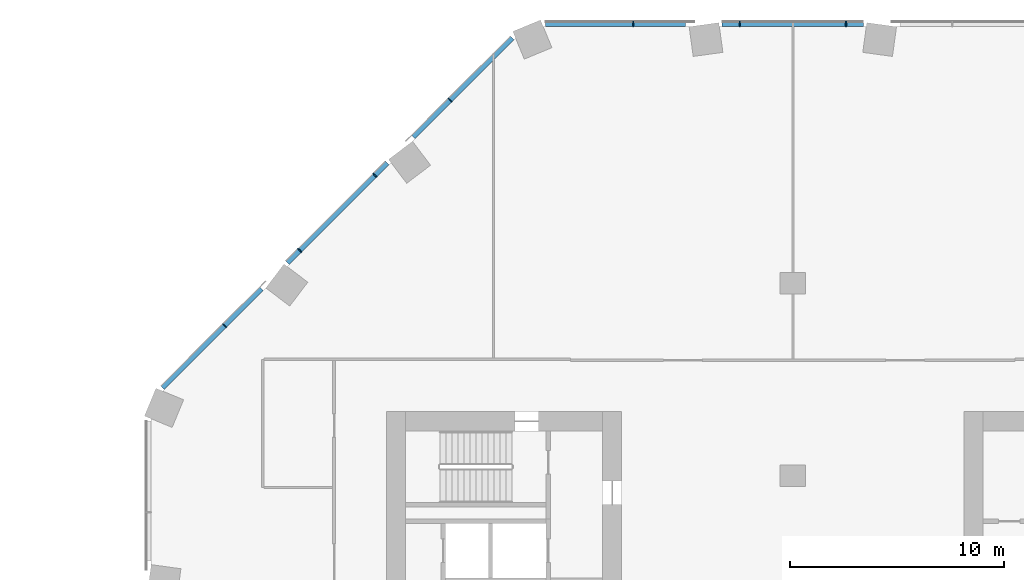
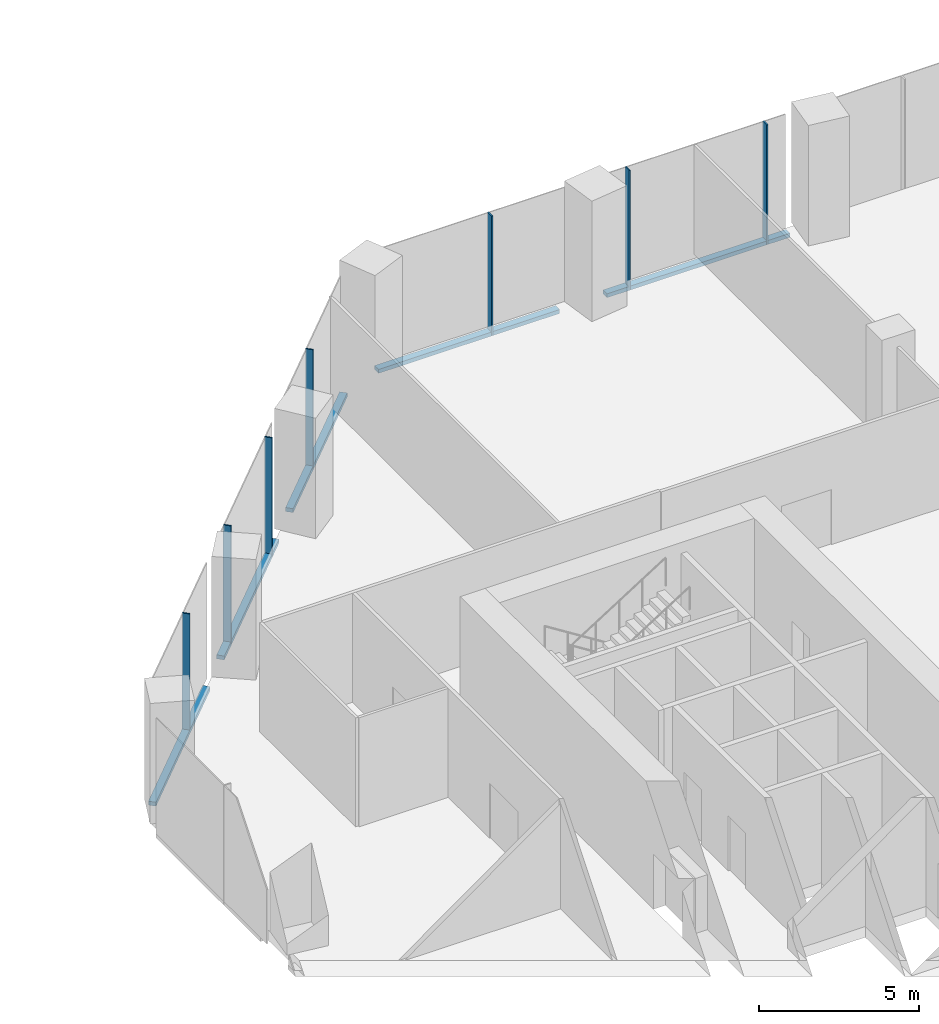
# One storey, part 11 of 30: 12 members, 2 elements without a shape of their own.
"""IFC4 building model written with IfcOpenShell, lengths in metres."""

from ifc_helpers import new_model, si_unit, direction, frame, origin, origin_2d, place, context, subcontext, project, spatial, rectangle, extrude, material, material_profile, profile_set, type_object, element, aggregate, save


model = new_model("IFC4")

# Units and contexts
model_context = context("Model", 3, precision=1e-05, world=origin(), true_north=direction((0.0, 1.0)))
body_context = subcontext(model_context, "Body", "Model", "MODEL_VIEW")
ifc_project = project(units=[si_unit("LENGTHUNIT", "METRE"), si_unit("AREAUNIT", "SQUARE_METRE"), si_unit("VOLUMEUNIT", "CUBIC_METRE"), si_unit("PLANEANGLEUNIT", "RADIAN"), si_unit("MASSUNIT", "GRAM", prefix="KILO")], contexts=[model_context])

# Site, building, storey
site_placement = place(None, origin())
site = spatial("IfcSite", under=ifc_project, at=site_placement, CompositionType="ELEMENT")
building_placement = place(site_placement, origin())
building = spatial("IfcBuilding", under=site, at=building_placement, Name="Orlundy Tower", CompositionType="ELEMENT")
storey_placement = place(building_placement, frame((0.0, 0.0, 20.5)))
storey = spatial("IfcBuildingStorey", under=building, at=storey_placement, Name="L03", CompositionType="ELEMENT", Elevation=20.5)

# Curtain wall, members
ifc_material_1 = material(Name="Aluminium bronze anodised", Category="aluminium")
curtain_wall_type = type_object("IfcCurtainWallType", Name="CW2 wall", PredefinedType="NOTDEFINED", material=ifc_material_1)
curtain_wall_1_placement = place(storey_placement, origin())
curtain_wall_1 = element("IfcCurtainWall", 1, at=curtain_wall_1_placement, inside=storey, type_object=curtain_wall_type, Name="CW2 run 014", PredefinedType="NOTDEFINED")
ifc_material_2 = material(Name="Aluminium bronze anodised", Category="aluminium")
ifc_material_profile_1 = material_profile(ifc_material_2, rectangle(XDim=0.25, YDim=0.050048828125, at=origin_2d()), Name="CW2 mullion 50x250")
ifc_profile_set_1 = profile_set([ifc_material_profile_1], Name="Aluminium bronze anodised")
member_type_1 = type_object("IfcMemberType", Name="CW2 mullion 50x250", PredefinedType="MULLION", material=ifc_profile_set_1)
member_1_placement = place(storey_placement, frame((-26.573486328125, 16.029296875, -0.39990234375), z_axis=(0.0, 0.0, 1.0), x_axis=(-0.707106781187, 0.707106781187, 0.0)))
member_1 = element("IfcMember", 2, at=member_1_placement, type_object=member_type_1, Name="CW2 mullion 35", PredefinedType="MULLION", context=body_context, shape_type="SweptSolid", body=[
    extrude(rectangle(XDim=0.25, YDim=0.050048828125, at=origin_2d()), origin(), (0.0, 0.0, 1.0), 4.579833984375),
])
member_2_placement = place(storey_placement, frame((-23.058837890625, 19.5439453125, -0.39990234375), z_axis=(0.0, 0.0, 1.0), x_axis=(-0.707106781187, 0.707106781187, 0.0)))
member_2 = element("IfcMember", 3, at=member_2_placement, type_object=member_type_1, Name="CW2 mullion 36", PredefinedType="MULLION", context=body_context, shape_type="SweptSolid", body=[
    extrude(rectangle(XDim=0.25, YDim=0.050048828125, at=origin_2d()), origin(), (0.0, 0.0, 1.0), 4.579833984375),
])
member_3_placement = place(storey_placement, frame((-19.5439453125, 23.058837890625, -0.39990234375), z_axis=(0.0, 0.0, 1.0), x_axis=(-0.707106781187, 0.707106781187, 0.0)))
member_3 = element("IfcMember", 4, at=member_3_placement, type_object=member_type_1, Name="CW2 mullion 37", PredefinedType="MULLION", context=body_context, shape_type="SweptSolid", body=[
    extrude(rectangle(XDim=0.25, YDim=0.050048828125, at=origin_2d()), origin(), (0.0, 0.0, 1.0), 4.579833984375),
])
member_4_placement = place(storey_placement, frame((-16.029296875, 26.573486328125, -0.39990234375), z_axis=(0.0, 0.0, 1.0), x_axis=(-0.707106781187, 0.707106781187, 0.0)))
member_4 = element("IfcMember", 5, at=member_4_placement, type_object=member_type_1, Name="CW2 mullion 38", PredefinedType="MULLION", context=body_context, shape_type="SweptSolid", body=[
    extrude(rectangle(XDim=0.25, YDim=0.050048828125, at=origin_2d()), origin(), (0.0, 0.0, 1.0), 4.579833984375),
])

curtain_wall_2_placement = place(storey_placement, origin())
curtain_wall_2 = element("IfcCurtainWall", 6, at=curtain_wall_2_placement, inside=storey, type_object=curtain_wall_type, Name="CW2 run 015", PredefinedType="NOTDEFINED")
member_5_placement = place(storey_placement, frame((-7.45556640625, 30.125, -0.39990234375), z_axis=(0.0, 0.0, 1.0), x_axis=(0.0, 1.0, 0.0)))
member_5 = element("IfcMember", 7, at=member_5_placement, type_object=member_type_1, Name="CW2 mullion 40", PredefinedType="MULLION", context=body_context, shape_type="SweptSolid", body=[
    extrude(rectangle(XDim=0.25, YDim=0.050048828125, at=origin_2d()), origin(), (0.0, 0.0, 1.0), 4.579833984375),
])
member_6_placement = place(storey_placement, frame((-2.485107421875, 30.125, -0.39990234375), z_axis=(0.0, 0.0, 1.0), x_axis=(0.0, 1.0, 0.0)))
member_6 = element("IfcMember", 8, at=member_6_placement, type_object=member_type_1, Name="CW2 mullion 41", PredefinedType="MULLION", context=body_context, shape_type="SweptSolid", body=[
    extrude(rectangle(XDim=0.25, YDim=0.050048828125, at=origin_2d()), origin(), (0.0, 0.0, 1.0), 4.579833984375),
])
member_7_placement = place(storey_placement, frame((2.485107421875, 30.125, -0.39990234375), z_axis=(0.0, 0.0, 1.0), x_axis=(0.0, 1.0, 0.0)))
member_7 = element("IfcMember", 9, at=member_7_placement, type_object=member_type_1, Name="CW2 mullion 42", PredefinedType="MULLION", context=body_context, shape_type="SweptSolid", body=[
    extrude(rectangle(XDim=0.25, YDim=0.050048828125, at=origin_2d()), origin(), (0.0, 0.0, 1.0), 4.579833984375),
])

# Member
ifc_material_3 = material(Name="Aluminium bronze anodised", Category="aluminium")
ifc_material_profile_2 = material_profile(ifc_material_3, rectangle(XDim=0.25, YDim=0.14990234375, at=origin_2d()), Name="CW2 transom 250x150")
ifc_profile_set_2 = profile_set([ifc_material_profile_2], Name="Aluminium bronze anodised")
member_type_2 = type_object("IfcMemberType", Name="CW2 transom 250x150", PredefinedType="USERDEFINED", material=ifc_profile_set_2)
member_8_placement = place(storey_placement, frame((-29.47412109375, 13.128662109375, -0.324951171875), z_axis=(0.707106781187, 0.707106781187, 0.0), x_axis=(-0.707106781187, 0.707106781187, 0.0)))
member_8 = element("IfcMember", 10, at=member_8_placement, type_object=member_type_2, Name="CW2 transom", ObjectType="TRANSOM", PredefinedType="USERDEFINED", context=body_context, shape_type="SweptSolid", body=[
    extrude(rectangle(XDim=0.25, YDim=0.14990234375, at=origin_2d()), origin(), (0.0, 0.0, 1.0), 6.541015625),
])

member_9_placement = place(storey_placement, frame((-23.635498046875, 18.96728515625, -0.324951171875), z_axis=(0.707106781187, 0.707106781187, 0.0), x_axis=(-0.707106781187, 0.707106781187, 0.0)))
member_9 = element("IfcMember", 11, at=member_9_placement, type_object=member_type_2, Name="CW2 transom", ObjectType="TRANSOM", PredefinedType="USERDEFINED", context=body_context, shape_type="SweptSolid", body=[
    extrude(rectangle(XDim=0.25, YDim=0.14990234375, at=origin_2d()), origin(), (0.0, 0.0, 1.0), 6.601806640625),
])

member_10_placement = place(storey_placement, frame((-17.75390625, 24.848876953125, -0.324951171875), z_axis=(0.707106781187, 0.707106781187, 0.0), x_axis=(-0.707106781187, 0.707106781187, 0.0)))
member_10 = element("IfcMember", 12, at=member_10_placement, type_object=member_type_2, Name="CW2 transom", ObjectType="TRANSOM", PredefinedType="USERDEFINED", context=body_context, shape_type="SweptSolid", body=[
    extrude(rectangle(XDim=0.25, YDim=0.14990234375, at=origin_2d()), origin(), (0.0, 0.0, 1.0), 6.541015625),
])

aggregate(curtain_wall_1, [member_1, member_2, member_3, member_4, member_8, member_9, member_10])

member_11_placement = place(storey_placement, frame((-11.558349609375, 30.125, -0.324951171875), z_axis=(1.0, 0.0, 0.0), x_axis=(0.0, 1.0, 0.0)))
member_11 = element("IfcMember", 13, at=member_11_placement, type_object=member_type_2, Name="CW2 transom", ObjectType="TRANSOM", PredefinedType="USERDEFINED", context=body_context, shape_type="SweptSolid", body=[
    extrude(rectangle(XDim=0.25, YDim=0.14990234375, at=origin_2d()), origin(), (0.0, 0.0, 1.0), 6.541259765625),
])

member_12_placement = place(storey_placement, frame((-3.301025390625, 30.125, -0.324951171875), z_axis=(1.0, 0.0, 0.0), x_axis=(0.0, 1.0, 0.0)))
member_12 = element("IfcMember", 14, at=member_12_placement, type_object=member_type_2, Name="CW2 transom", ObjectType="TRANSOM", PredefinedType="USERDEFINED", context=body_context, shape_type="SweptSolid", body=[
    extrude(rectangle(XDim=0.25, YDim=0.14990234375, at=origin_2d()), origin(), (0.0, 0.0, 1.0), 6.60205078125),
])

aggregate(curtain_wall_2, [member_5, member_6, member_7, member_11, member_12])

save(model, "model.ifc")
